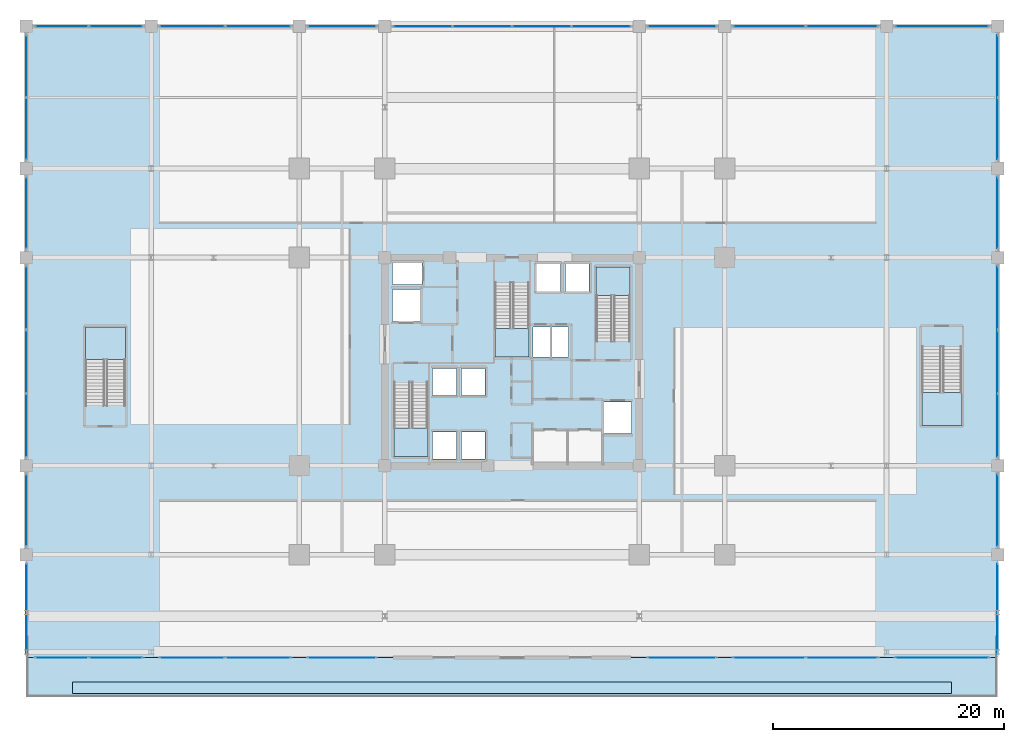
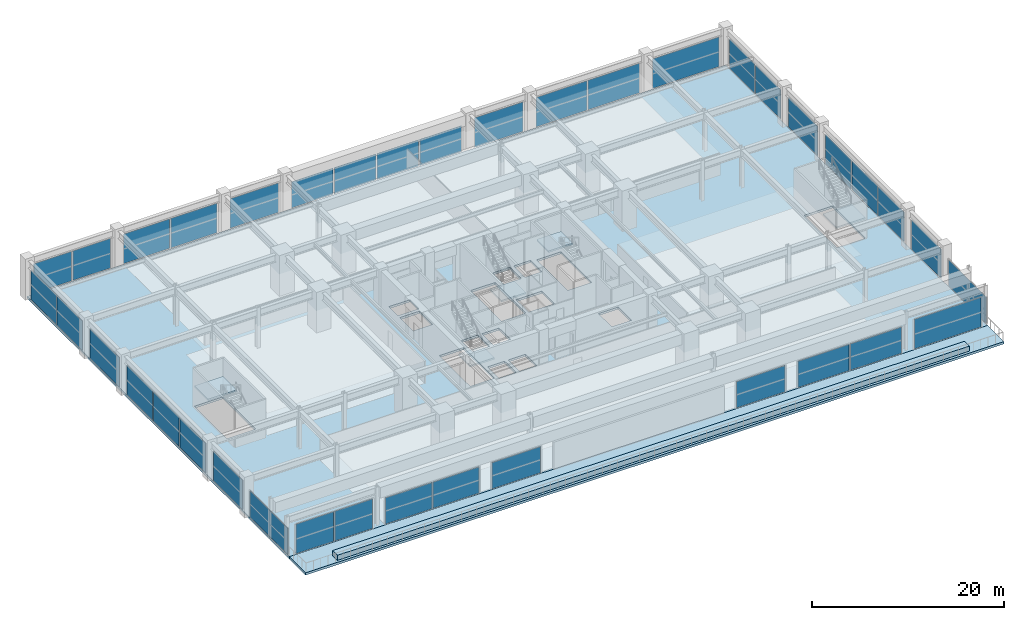
# One storey, part 35 of 45: 38 plates, 8 slabs, 28 elements without a shape of their own.
"""IFC4 building model written with IfcOpenShell, lengths in metres."""

from ifc_helpers import new_model, si_unit, direction, frame, origin, origin_2d, place, context, subcontext, project, spatial, polyline, rectangle, outline, extrude, material, layer, layer_set, type_object, element, aggregate, save


model = new_model("IFC4")

# Units and contexts
model_context = context("Model", 3, precision=1e-05, world=origin(), true_north=direction((0.0, 1.0)))
body_context = subcontext(model_context, "Body", "Model", "MODEL_VIEW")
ifc_project = project(units=[si_unit("LENGTHUNIT", "METRE"), si_unit("AREAUNIT", "SQUARE_METRE"), si_unit("VOLUMEUNIT", "CUBIC_METRE"), si_unit("PLANEANGLEUNIT", "RADIAN"), si_unit("MASSUNIT", "GRAM", prefix="KILO")], contexts=[model_context])

# Site, building, storey
site_placement = place(None, origin())
site = spatial("IfcSite", under=ifc_project, at=site_placement, CompositionType="ELEMENT")
building_placement = place(site_placement, origin())
building = spatial("IfcBuilding", under=site, at=building_placement, Name="Kovane Verandah Tower", CompositionType="ELEMENT")
storey_placement = place(building_placement, frame((0.0, 0.0, 6.0)))
storey = spatial("IfcBuildingStorey", under=building, at=storey_placement, Name="L01", CompositionType="ELEMENT", Elevation=6.0)

# Curtain wall, plates
ifc_material_1 = material(Name="Champagne Anodised Aluminium Frame with Low-E Clear Laminated Glass", Category="aluminium")
curtain_wall_type = type_object("IfcCurtainWallType", Name="CW-SYS-01-POD", PredefinedType="NOTDEFINED", material=ifc_material_1)
curtain_wall_1_placement = place(storey_placement, origin())
curtain_wall_1 = element("IfcCurtainWall", 1, at=curtain_wall_1_placement, inside=storey, type_object=curtain_wall_type, Name="L01 South Podium Curtain Wall Bay 1.1", PredefinedType="NOTDEFINED")
ifc_material_2 = material(Name="Clear Low-E Laminated Double Glazing", Category="glass")
ifc_layer_1 = layer(ifc_material_2, 0.031982421875)
ifc_layer_set_1 = layer_set([ifc_layer_1], Name="Clear Low-E Laminated Double Glazing")
plate_type = type_object("IfcPlateType", Name="PL-CW-VIS-32", PredefinedType="CURTAIN_PANEL", material=ifc_layer_set_1)
plate_1_placement = place(storey_placement, frame((1.06005859375, 1.89990234375, 0.10009765625), z_axis=(0.0, 0.0, 1.0), x_axis=(1.0, 0.0, 0.0)))
plate_1 = element("IfcPlate", 2, at=plate_1_placement, type_object=plate_type, Name="L01 South Podium Curtain Wall Bay 1.1 Full-Height Vision Panel 1", PredefinedType="CURTAIN_PANEL", context=body_context, shape_type="SweptSolid", body=[
    extrude(rectangle(XDim=4.5400390625, YDim=0.031982421875, at=origin_2d()), origin(), (0.0, 0.0, 1.0), 3.759033203125),
])
plate_2_placement = place(storey_placement, frame((5.739990234375, 1.89990234375, 0.10009765625), z_axis=(0.0, 0.0, 1.0), x_axis=(1.0, 0.0, 0.0)))
plate_2 = element("IfcPlate", 3, at=plate_2_placement, type_object=plate_type, Name="L01 South Podium Curtain Wall Bay 1.1 Full-Height Vision Panel 2", PredefinedType="CURTAIN_PANEL", context=body_context, shape_type="SweptSolid", body=[
    extrude(rectangle(XDim=4.5400390625, YDim=0.031982421875, at=origin_2d()), origin(), (0.0, 0.0, 1.0), 3.759033203125),
])
aggregate(curtain_wall_1, [plate_1, plate_2])

curtain_wall_2_placement = place(storey_placement, origin())
curtain_wall_2 = element("IfcCurtainWall", 4, at=curtain_wall_2_placement, inside=storey, type_object=curtain_wall_type, Name="L01 South Podium Curtain Wall Bay 2.1", PredefinedType="NOTDEFINED")
plate_3_placement = place(storey_placement, frame((12.360107421875, 1.89990234375, 0.099853515625), z_axis=(0.0, 0.0, 1.0), x_axis=(1.0, 0.0, 0.0)))
plate_3 = element("IfcPlate", 5, at=plate_3_placement, type_object=plate_type, Name="L01 South Podium Curtain Wall Bay 2.1 Full-Height Vision Panel 1", PredefinedType="CURTAIN_PANEL", context=body_context, shape_type="SweptSolid", body=[
    extrude(rectangle(XDim=5.5400390625, YDim=0.031982421875, at=origin_2d()), origin(), (0.0, 0.0, 1.0), 3.330078125),
])
plate_4_placement = place(storey_placement, frame((18.0400390625, 1.89990234375, 0.099853515625), z_axis=(0.0, 0.0, 1.0), x_axis=(1.0, 0.0, 0.0)))
plate_4 = element("IfcPlate", 6, at=plate_4_placement, type_object=plate_type, Name="L01 South Podium Curtain Wall Bay 2.1 Full-Height Vision Panel 2", PredefinedType="CURTAIN_PANEL", context=body_context, shape_type="SweptSolid", body=[
    extrude(rectangle(XDim=5.5400390625, YDim=0.031982421875, at=origin_2d()), origin(), (0.0, 0.0, 1.0), 3.330078125),
])
aggregate(curtain_wall_2, [plate_3, plate_4])

# Curtain wall, plate
curtain_wall_3_placement = place(storey_placement, origin())
curtain_wall_3 = element("IfcCurtainWall", 7, at=curtain_wall_3_placement, inside=storey, type_object=curtain_wall_type, Name="L01 South Podium Curtain Wall Bay 3.1", PredefinedType="NOTDEFINED")
plate_5_placement = place(storey_placement, frame((25.300048828125, 1.89990234375, 0.099853515625), z_axis=(0.0, 0.0, 1.0), x_axis=(1.0, 0.0, 0.0)))
plate_5 = element("IfcPlate", 8, at=plate_5_placement, type_object=plate_type, Name="L01 South Podium Curtain Wall Bay 3.1 Full-Height Vision Panel 1", PredefinedType="CURTAIN_PANEL", context=body_context, shape_type="SweptSolid", body=[
    extrude(rectangle(XDim=5.820068359375, YDim=0.031982421875, at=origin_2d()), origin(), (0.0, 0.0, 1.0), 3.330078125),
])
aggregate(curtain_wall_3, [plate_5])

curtain_wall_4_placement = place(storey_placement, origin())
curtain_wall_4 = element("IfcCurtainWall", 9, at=curtain_wall_4_placement, inside=storey, type_object=curtain_wall_type, Name="L01 South Podium Curtain Wall Bay 5.1", PredefinedType="NOTDEFINED")
plate_6_placement = place(storey_placement, frame((54.699951171875, 1.89990234375, 0.099853515625), z_axis=(0.0, 0.0, 1.0), x_axis=(1.0, 0.0, 0.0)))
plate_6 = element("IfcPlate", 10, at=plate_6_placement, type_object=plate_type, Name="L01 South Podium Curtain Wall Bay 5.1 Full-Height Vision Panel 1", PredefinedType="CURTAIN_PANEL", context=body_context, shape_type="SweptSolid", body=[
    extrude(rectangle(XDim=5.820068359375, YDim=0.031982421875, at=origin_2d()), origin(), (0.0, 0.0, 1.0), 3.330078125),
])
aggregate(curtain_wall_4, [plate_6])

# Curtain wall, plates
curtain_wall_5_placement = place(storey_placement, origin())
curtain_wall_5 = element("IfcCurtainWall", 11, at=curtain_wall_5_placement, inside=storey, type_object=curtain_wall_type, Name="L01 South Podium Curtain Wall Bay 6.1", PredefinedType="NOTDEFINED")
plate_7_placement = place(storey_placement, frame((62.260009765625, 1.89990234375, 0.099853515625), z_axis=(0.0, 0.0, 1.0), x_axis=(1.0, 0.0, 0.0)))
plate_7 = element("IfcPlate", 12, at=plate_7_placement, type_object=plate_type, Name="L01 South Podium Curtain Wall Bay 6.1 Full-Height Vision Panel 1", PredefinedType="CURTAIN_PANEL", context=body_context, shape_type="SweptSolid", body=[
    extrude(rectangle(XDim=6.139892578125, YDim=0.031982421875, at=origin_2d()), origin(), (0.0, 0.0, 1.0), 3.330078125),
])
plate_8_placement = place(storey_placement, frame((68.5400390625, 1.89990234375, 0.099853515625), z_axis=(0.0, 0.0, 1.0), x_axis=(1.0, 0.0, 0.0)))
plate_8 = element("IfcPlate", 13, at=plate_8_placement, type_object=plate_type, Name="L01 South Podium Curtain Wall Bay 6.1 Full-Height Vision Panel 2", PredefinedType="CURTAIN_PANEL", context=body_context, shape_type="SweptSolid", body=[
    extrude(rectangle(XDim=6.139892578125, YDim=0.031982421875, at=origin_2d()), origin(), (0.0, 0.0, 1.0), 3.330078125),
])
aggregate(curtain_wall_5, [plate_7, plate_8])

# Curtain wall, plate
curtain_wall_6_placement = place(storey_placement, origin())
curtain_wall_6 = element("IfcCurtainWall", 14, at=curtain_wall_6_placement, inside=storey, type_object=curtain_wall_type, Name="L01 South Podium Curtain Wall Bay 7.1", PredefinedType="NOTDEFINED")
plate_9_placement = place(storey_placement, frame((77.199951171875, 1.89990234375, 0.10009765625), z_axis=(0.0, 0.0, 1.0), x_axis=(1.0, 0.0, 0.0)))
plate_9 = element("IfcPlate", 15, at=plate_9_placement, type_object=plate_type, Name="L01 South Podium Curtain Wall Bay 7.1 Full-Height Vision Panel 1", PredefinedType="CURTAIN_PANEL", context=body_context, shape_type="SweptSolid", body=[
    extrude(rectangle(XDim=8.02001953125, YDim=0.031982421875, at=origin_2d()), origin(), (0.0, 0.0, 1.0), 3.759033203125),
])
aggregate(curtain_wall_6, [plate_9])

# Curtain wall, plates
curtain_wall_7_placement = place(storey_placement, origin())
curtain_wall_7 = element("IfcCurtainWall", 16, at=curtain_wall_7_placement, inside=storey, type_object=curtain_wall_type, Name="L01 North Podium Curtain Wall Bay 1", PredefinedType="NOTDEFINED")
plate_10_placement = place(storey_placement, frame((5.739990234375, 56.5, 0.10009765625), z_axis=(0.0, 0.0, 1.0), x_axis=(-1.0, 0.0, 0.0)))
plate_10 = element("IfcPlate", 17, at=plate_10_placement, type_object=plate_type, Name="L01 North Podium Curtain Wall Bay 1 Full-Height Vision Panel 1", PredefinedType="CURTAIN_PANEL", context=body_context, shape_type="SweptSolid", body=[
    extrude(rectangle(XDim=4.5400390625, YDim=0.031982421875, at=origin_2d()), origin(), (0.0, 0.0, 1.0), 3.759033203125),
])
plate_11_placement = place(storey_placement, frame((1.06005859375, 56.5, 0.10009765625), z_axis=(0.0, 0.0, 1.0), x_axis=(-1.0, 0.0, 0.0)))
plate_11 = element("IfcPlate", 18, at=plate_11_placement, type_object=plate_type, Name="L01 North Podium Curtain Wall Bay 1 Full-Height Vision Panel 2", PredefinedType="CURTAIN_PANEL", context=body_context, shape_type="SweptSolid", body=[
    extrude(rectangle(XDim=4.5400390625, YDim=0.031982421875, at=origin_2d()), origin(), (0.0, 0.0, 1.0), 3.759033203125),
])
aggregate(curtain_wall_7, [plate_10, plate_11])

curtain_wall_8_placement = place(storey_placement, origin())
curtain_wall_8 = element("IfcCurtainWall", 19, at=curtain_wall_8_placement, inside=storey, type_object=curtain_wall_type, Name="L01 North Podium Curtain Wall Bay 2", PredefinedType="NOTDEFINED")
plate_12_placement = place(storey_placement, frame((18.0400390625, 56.5, 0.10009765625), z_axis=(0.0, 0.0, 1.0), x_axis=(-1.0, 0.0, 0.0)))
plate_12 = element("IfcPlate", 20, at=plate_12_placement, type_object=plate_type, Name="L01 North Podium Curtain Wall Bay 2 Full-Height Vision Panel 1", PredefinedType="CURTAIN_PANEL", context=body_context, shape_type="SweptSolid", body=[
    extrude(rectangle(XDim=5.5400390625, YDim=0.031982421875, at=origin_2d()), origin(), (0.0, 0.0, 1.0), 3.759033203125),
])
plate_13_placement = place(storey_placement, frame((12.360107421875, 56.5, 0.10009765625), z_axis=(0.0, 0.0, 1.0), x_axis=(-1.0, 0.0, 0.0)))
plate_13 = element("IfcPlate", 21, at=plate_13_placement, type_object=plate_type, Name="L01 North Podium Curtain Wall Bay 2 Full-Height Vision Panel 2", PredefinedType="CURTAIN_PANEL", context=body_context, shape_type="SweptSolid", body=[
    extrude(rectangle(XDim=5.5400390625, YDim=0.031982421875, at=origin_2d()), origin(), (0.0, 0.0, 1.0), 3.759033203125),
])
aggregate(curtain_wall_8, [plate_12, plate_13])

# Curtain wall, plate
curtain_wall_9_placement = place(storey_placement, origin())
curtain_wall_9 = element("IfcCurtainWall", 22, at=curtain_wall_9_placement, inside=storey, type_object=curtain_wall_type, Name="L01 North Podium Curtain Wall Bay 3", PredefinedType="NOTDEFINED")
plate_14_placement = place(storey_placement, frame((25.300048828125, 56.5, 0.10009765625), z_axis=(0.0, 0.0, 1.0), x_axis=(-1.0, 0.0, 0.0)))
plate_14 = element("IfcPlate", 23, at=plate_14_placement, type_object=plate_type, Name="L01 North Podium Curtain Wall Bay 3 Full-Height Vision Panel 1", PredefinedType="CURTAIN_PANEL", context=body_context, shape_type="SweptSolid", body=[
    extrude(rectangle(XDim=5.820068359375, YDim=0.031982421875, at=origin_2d()), origin(), (0.0, 0.0, 1.0), 3.759033203125),
])
aggregate(curtain_wall_9, [plate_14])

# Curtain wall, plates
curtain_wall_10_placement = place(storey_placement, origin())
curtain_wall_10 = element("IfcCurtainWall", 24, at=curtain_wall_10_placement, inside=storey, type_object=curtain_wall_type, Name="L01 North Podium Curtain Wall Bay 4", PredefinedType="NOTDEFINED")
plate_15_placement = place(storey_placement, frame((47.7099609375, 56.5, 0.099853515625), z_axis=(0.0, 0.0, 1.0), x_axis=(-1.0, 0.0, 0.0)))
plate_15 = element("IfcPlate", 25, at=plate_15_placement, type_object=plate_type, Name="L01 North Podium Curtain Wall Bay 4 Full-Height Vision Panel 1", PredefinedType="CURTAIN_PANEL", context=body_context, shape_type="SweptSolid", body=[
    extrude(rectangle(XDim=5.0, YDim=0.031982421875, at=origin_2d()), origin(), (0.0, 0.0, 1.0), 3.330078125),
])
plate_16_placement = place(storey_placement, frame((42.570068359375, 56.5, 0.099853515625), z_axis=(0.0, 0.0, 1.0), x_axis=(-1.0, 0.0, 0.0)))
plate_16 = element("IfcPlate", 26, at=plate_16_placement, type_object=plate_type, Name="L01 North Podium Curtain Wall Bay 4 Full-Height Vision Panel 2", PredefinedType="CURTAIN_PANEL", context=body_context, shape_type="SweptSolid", body=[
    extrude(rectangle(XDim=5.0, YDim=0.031982421875, at=origin_2d()), origin(), (0.0, 0.0, 1.0), 3.330078125),
])
plate_17_placement = place(storey_placement, frame((37.429931640625, 56.5, 0.099853515625), z_axis=(0.0, 0.0, 1.0), x_axis=(-1.0, 0.0, 0.0)))
plate_17 = element("IfcPlate", 27, at=plate_17_placement, type_object=plate_type, Name="L01 North Podium Curtain Wall Bay 4 Full-Height Vision Panel 3", PredefinedType="CURTAIN_PANEL", context=body_context, shape_type="SweptSolid", body=[
    extrude(rectangle(XDim=5.0, YDim=0.031982421875, at=origin_2d()), origin(), (0.0, 0.0, 1.0), 3.330078125),
])
plate_18_placement = place(storey_placement, frame((32.2900390625, 56.5, 0.099853515625), z_axis=(0.0, 0.0, 1.0), x_axis=(-1.0, 0.0, 0.0)))
plate_18 = element("IfcPlate", 28, at=plate_18_placement, type_object=plate_type, Name="L01 North Podium Curtain Wall Bay 4 Full-Height Vision Panel 4", PredefinedType="CURTAIN_PANEL", context=body_context, shape_type="SweptSolid", body=[
    extrude(rectangle(XDim=5.0, YDim=0.031982421875, at=origin_2d()), origin(), (0.0, 0.0, 1.0), 3.330078125),
])
aggregate(curtain_wall_10, [plate_15, plate_16, plate_17, plate_18])

# Curtain wall, plate
curtain_wall_11_placement = place(storey_placement, origin())
curtain_wall_11 = element("IfcCurtainWall", 29, at=curtain_wall_11_placement, inside=storey, type_object=curtain_wall_type, Name="L01 North Podium Curtain Wall Bay 5", PredefinedType="NOTDEFINED")
plate_19_placement = place(storey_placement, frame((54.699951171875, 56.5, 0.10009765625), z_axis=(0.0, 0.0, 1.0), x_axis=(-1.0, 0.0, 0.0)))
plate_19 = element("IfcPlate", 30, at=plate_19_placement, type_object=plate_type, Name="L01 North Podium Curtain Wall Bay 5 Full-Height Vision Panel 1", PredefinedType="CURTAIN_PANEL", context=body_context, shape_type="SweptSolid", body=[
    extrude(rectangle(XDim=5.820068359375, YDim=0.031982421875, at=origin_2d()), origin(), (0.0, 0.0, 1.0), 3.759033203125),
])
aggregate(curtain_wall_11, [plate_19])

# Curtain wall, plates
curtain_wall_12_placement = place(storey_placement, origin())
curtain_wall_12 = element("IfcCurtainWall", 31, at=curtain_wall_12_placement, inside=storey, type_object=curtain_wall_type, Name="L01 North Podium Curtain Wall Bay 6", PredefinedType="NOTDEFINED")
plate_20_placement = place(storey_placement, frame((68.5400390625, 56.5, 0.10009765625), z_axis=(0.0, 0.0, 1.0), x_axis=(-1.0, 0.0, 0.0)))
plate_20 = element("IfcPlate", 32, at=plate_20_placement, type_object=plate_type, Name="L01 North Podium Curtain Wall Bay 6 Full-Height Vision Panel 1", PredefinedType="CURTAIN_PANEL", context=body_context, shape_type="SweptSolid", body=[
    extrude(rectangle(XDim=6.139892578125, YDim=0.031982421875, at=origin_2d()), origin(), (0.0, 0.0, 1.0), 3.759033203125),
])
plate_21_placement = place(storey_placement, frame((62.260009765625, 56.5, 0.10009765625), z_axis=(0.0, 0.0, 1.0), x_axis=(-1.0, 0.0, 0.0)))
plate_21 = element("IfcPlate", 33, at=plate_21_placement, type_object=plate_type, Name="L01 North Podium Curtain Wall Bay 6 Full-Height Vision Panel 2", PredefinedType="CURTAIN_PANEL", context=body_context, shape_type="SweptSolid", body=[
    extrude(rectangle(XDim=6.139892578125, YDim=0.031982421875, at=origin_2d()), origin(), (0.0, 0.0, 1.0), 3.759033203125),
])
aggregate(curtain_wall_12, [plate_20, plate_21])

# Curtain wall, plate
curtain_wall_13_placement = place(storey_placement, origin())
curtain_wall_13 = element("IfcCurtainWall", 34, at=curtain_wall_13_placement, inside=storey, type_object=curtain_wall_type, Name="L01 North Podium Curtain Wall Bay 7", PredefinedType="NOTDEFINED")
plate_22_placement = place(storey_placement, frame((77.199951171875, 56.5, 0.10009765625), z_axis=(0.0, 0.0, 1.0), x_axis=(-1.0, 0.0, 0.0)))
plate_22 = element("IfcPlate", 35, at=plate_22_placement, type_object=plate_type, Name="L01 North Podium Curtain Wall Bay 7 Full-Height Vision Panel 1", PredefinedType="CURTAIN_PANEL", context=body_context, shape_type="SweptSolid", body=[
    extrude(rectangle(XDim=8.02001953125, YDim=0.031982421875, at=origin_2d()), origin(), (0.0, 0.0, 1.0), 3.759033203125),
])
aggregate(curtain_wall_13, [plate_22])

curtain_wall_14_placement = place(storey_placement, origin())
curtain_wall_14 = element("IfcCurtainWall", 36, at=curtain_wall_14_placement, inside=storey, type_object=curtain_wall_type, Name="L01 West Podium Curtain Wall Bay 1", PredefinedType="NOTDEFINED")
plate_23_placement = place(storey_placement, frame((-2.0, 6.10009765625, 0.099853515625), z_axis=(0.0, 0.0, 1.0), x_axis=(0.0, -1.0, 0.0)))
plate_23 = element("IfcPlate", 37, at=plate_23_placement, type_object=plate_type, Name="L01 West Podium Curtain Wall Bay 1 Full-Height Vision Panel 1", PredefinedType="CURTAIN_PANEL", context=body_context, shape_type="SweptSolid", body=[
    extrude(rectangle(XDim=7.820068359375, YDim=0.031982421875, at=origin_2d()), origin(), (0.0, 0.0, 1.0), 3.330078125),
])
aggregate(curtain_wall_14, [plate_23])

curtain_wall_15_placement = place(storey_placement, origin())
curtain_wall_15 = element("IfcCurtainWall", 38, at=curtain_wall_15_placement, inside=storey, type_object=curtain_wall_type, Name="L01 East Podium Curtain Wall Bay 1", PredefinedType="NOTDEFINED")
plate_24_placement = place(storey_placement, frame((82.0, 6.10009765625, 0.099853515625), z_axis=(0.0, 0.0, 1.0), x_axis=(0.0, 1.0, 0.0)))
plate_24 = element("IfcPlate", 39, at=plate_24_placement, type_object=plate_type, Name="L01 East Podium Curtain Wall Bay 1 Full-Height Vision Panel 1", PredefinedType="CURTAIN_PANEL", context=body_context, shape_type="SweptSolid", body=[
    extrude(rectangle(XDim=7.820068359375, YDim=0.031982421875, at=origin_2d()), origin(), (0.0, 0.0, 1.0), 3.330078125),
])
aggregate(curtain_wall_15, [plate_24])

curtain_wall_16_placement = place(storey_placement, origin())
curtain_wall_16 = element("IfcCurtainWall", 40, at=curtain_wall_16_placement, inside=storey, type_object=curtain_wall_type, Name="L01 West Podium Curtain Wall Bay 2", PredefinedType="NOTDEFINED")
plate_25_placement = place(storey_placement, frame((-2.0, 14.64990234375, 0.10009765625), z_axis=(0.0, 0.0, 1.0), x_axis=(0.0, -1.0, 0.0)))
plate_25 = element("IfcPlate", 41, at=plate_25_placement, type_object=plate_type, Name="L01 West Podium Curtain Wall Bay 2 Full-Height Vision Panel 1", PredefinedType="CURTAIN_PANEL", context=body_context, shape_type="SweptSolid", body=[
    extrude(rectangle(XDim=6.1201171875, YDim=0.031982421875, at=origin_2d()), origin(), (0.0, 0.0, 1.0), 3.759033203125),
])
aggregate(curtain_wall_16, [plate_25])

curtain_wall_17_placement = place(storey_placement, origin())
curtain_wall_17 = element("IfcCurtainWall", 42, at=curtain_wall_17_placement, inside=storey, type_object=curtain_wall_type, Name="L01 East Podium Curtain Wall Bay 2", PredefinedType="NOTDEFINED")
plate_26_placement = place(storey_placement, frame((82.0, 14.64990234375, 0.10009765625), z_axis=(0.0, 0.0, 1.0), x_axis=(0.0, 1.0, 0.0)))
plate_26 = element("IfcPlate", 43, at=plate_26_placement, type_object=plate_type, Name="L01 East Podium Curtain Wall Bay 2 Full-Height Vision Panel 1", PredefinedType="CURTAIN_PANEL", context=body_context, shape_type="SweptSolid", body=[
    extrude(rectangle(XDim=6.1201171875, YDim=0.031982421875, at=origin_2d()), origin(), (0.0, 0.0, 1.0), 3.759033203125),
])
aggregate(curtain_wall_17, [plate_26])

# Curtain wall, plates
curtain_wall_18_placement = place(storey_placement, origin())
curtain_wall_18 = element("IfcCurtainWall", 44, at=curtain_wall_18_placement, inside=storey, type_object=curtain_wall_type, Name="L01 West Podium Curtain Wall Bay 3", PredefinedType="NOTDEFINED")
plate_27_placement = place(storey_placement, frame((-2.0, 33.02001953125, 0.10009765625), z_axis=(0.0, 0.0, 1.0), x_axis=(0.0, -1.0, 0.0)))
plate_27 = element("IfcPlate", 45, at=plate_27_placement, type_object=plate_type, Name="L01 West Podium Curtain Wall Bay 3 Full-Height Vision Panel 1", PredefinedType="CURTAIN_PANEL", context=body_context, shape_type="SweptSolid", body=[
    extrude(rectangle(XDim=5.3798828125, YDim=0.031982421875, at=origin_2d()), origin(), (0.0, 0.0, 1.0), 3.759033203125),
])
plate_28_placement = place(storey_placement, frame((-2.0, 27.5, 0.10009765625), z_axis=(0.0, 0.0, 1.0), x_axis=(0.0, -1.0, 0.0)))
plate_28 = element("IfcPlate", 46, at=plate_28_placement, type_object=plate_type, Name="L01 West Podium Curtain Wall Bay 3 Full-Height Vision Panel 2", PredefinedType="CURTAIN_PANEL", context=body_context, shape_type="SweptSolid", body=[
    extrude(rectangle(XDim=5.3798828125, YDim=0.031982421875, at=origin_2d()), origin(), (0.0, 0.0, 1.0), 3.759033203125),
])
plate_29_placement = place(storey_placement, frame((-2.0, 21.97998046875, 0.10009765625), z_axis=(0.0, 0.0, 1.0), x_axis=(0.0, -1.0, 0.0)))
plate_29 = element("IfcPlate", 47, at=plate_29_placement, type_object=plate_type, Name="L01 West Podium Curtain Wall Bay 3 Full-Height Vision Panel 3", PredefinedType="CURTAIN_PANEL", context=body_context, shape_type="SweptSolid", body=[
    extrude(rectangle(XDim=5.3798828125, YDim=0.031982421875, at=origin_2d()), origin(), (0.0, 0.0, 1.0), 3.759033203125),
])
aggregate(curtain_wall_18, [plate_27, plate_28, plate_29])

curtain_wall_19_placement = place(storey_placement, origin())
curtain_wall_19 = element("IfcCurtainWall", 48, at=curtain_wall_19_placement, inside=storey, type_object=curtain_wall_type, Name="L01 East Podium Curtain Wall Bay 3", PredefinedType="NOTDEFINED")
plate_30_placement = place(storey_placement, frame((82.0, 21.97998046875, 0.10009765625), z_axis=(0.0, 0.0, 1.0), x_axis=(0.0, 1.0, 0.0)))
plate_30 = element("IfcPlate", 49, at=plate_30_placement, type_object=plate_type, Name="L01 East Podium Curtain Wall Bay 3 Full-Height Vision Panel 1", PredefinedType="CURTAIN_PANEL", context=body_context, shape_type="SweptSolid", body=[
    extrude(rectangle(XDim=5.3798828125, YDim=0.031982421875, at=origin_2d()), origin(), (0.0, 0.0, 1.0), 3.759033203125),
])
plate_31_placement = place(storey_placement, frame((82.0, 27.5, 0.10009765625), z_axis=(0.0, 0.0, 1.0), x_axis=(0.0, 1.0, 0.0)))
plate_31 = element("IfcPlate", 50, at=plate_31_placement, type_object=plate_type, Name="L01 East Podium Curtain Wall Bay 3 Full-Height Vision Panel 2", PredefinedType="CURTAIN_PANEL", context=body_context, shape_type="SweptSolid", body=[
    extrude(rectangle(XDim=5.3798828125, YDim=0.031982421875, at=origin_2d()), origin(), (0.0, 0.0, 1.0), 3.759033203125),
])
plate_32_placement = place(storey_placement, frame((82.0, 33.02001953125, 0.10009765625), z_axis=(0.0, 0.0, 1.0), x_axis=(0.0, 1.0, 0.0)))
plate_32 = element("IfcPlate", 51, at=plate_32_placement, type_object=plate_type, Name="L01 East Podium Curtain Wall Bay 3 Full-Height Vision Panel 3", PredefinedType="CURTAIN_PANEL", context=body_context, shape_type="SweptSolid", body=[
    extrude(rectangle(XDim=5.3798828125, YDim=0.031982421875, at=origin_2d()), origin(), (0.0, 0.0, 1.0), 3.759033203125),
])
aggregate(curtain_wall_19, [plate_30, plate_31, plate_32])

# Curtain wall, plate
curtain_wall_20_placement = place(storey_placement, origin())
curtain_wall_20 = element("IfcCurtainWall", 52, at=curtain_wall_20_placement, inside=storey, type_object=curtain_wall_type, Name="L01 West Podium Curtain Wall Bay 4", PredefinedType="NOTDEFINED")
plate_33_placement = place(storey_placement, frame((-2.0, 40.35009765625, 0.10009765625), z_axis=(0.0, 0.0, 1.0), x_axis=(0.0, -1.0, 0.0)))
plate_33 = element("IfcPlate", 53, at=plate_33_placement, type_object=plate_type, Name="L01 West Podium Curtain Wall Bay 4 Full-Height Vision Panel 1", PredefinedType="CURTAIN_PANEL", context=body_context, shape_type="SweptSolid", body=[
    extrude(rectangle(XDim=6.1201171875, YDim=0.031982421875, at=origin_2d()), origin(), (0.0, 0.0, 1.0), 3.759033203125),
])
aggregate(curtain_wall_20, [plate_33])

curtain_wall_21_placement = place(storey_placement, origin())
curtain_wall_21 = element("IfcCurtainWall", 54, at=curtain_wall_21_placement, inside=storey, type_object=curtain_wall_type, Name="L01 East Podium Curtain Wall Bay 4", PredefinedType="NOTDEFINED")
plate_34_placement = place(storey_placement, frame((82.0, 40.35009765625, 0.10009765625), z_axis=(0.0, 0.0, 1.0), x_axis=(0.0, 1.0, 0.0)))
plate_34 = element("IfcPlate", 55, at=plate_34_placement, type_object=plate_type, Name="L01 East Podium Curtain Wall Bay 4 Full-Height Vision Panel 1", PredefinedType="CURTAIN_PANEL", context=body_context, shape_type="SweptSolid", body=[
    extrude(rectangle(XDim=6.1201171875, YDim=0.031982421875, at=origin_2d()), origin(), (0.0, 0.0, 1.0), 3.759033203125),
])
aggregate(curtain_wall_21, [plate_34])

# Curtain wall, plates
curtain_wall_22_placement = place(storey_placement, origin())
curtain_wall_22 = element("IfcCurtainWall", 56, at=curtain_wall_22_placement, inside=storey, type_object=curtain_wall_type, Name="L01 West Podium Curtain Wall Bay 5", PredefinedType="NOTDEFINED")
plate_35_placement = place(storey_placement, frame((-2.0, 53.06494140625, 0.10009765625), z_axis=(0.0, 0.0, 1.0), x_axis=(0.0, -1.0, 0.0)))
plate_35 = element("IfcPlate", 57, at=plate_35_placement, type_object=plate_type, Name="L01 West Podium Curtain Wall Bay 5 Full-Height Vision Panel 1", PredefinedType="CURTAIN_PANEL", context=body_context, shape_type="SweptSolid", body=[
    extrude(rectangle(XDim=5.2900390625, YDim=0.031982421875, at=origin_2d()), origin(), (0.0, 0.0, 1.0), 3.759033203125),
])
plate_36_placement = place(storey_placement, frame((-2.0, 47.635009765625, 0.10009765625), z_axis=(0.0, 0.0, 1.0), x_axis=(0.0, -1.0, 0.0)))
plate_36 = element("IfcPlate", 58, at=plate_36_placement, type_object=plate_type, Name="L01 West Podium Curtain Wall Bay 5 Full-Height Vision Panel 2", PredefinedType="CURTAIN_PANEL", context=body_context, shape_type="SweptSolid", body=[
    extrude(rectangle(XDim=5.2900390625, YDim=0.031982421875, at=origin_2d()), origin(), (0.0, 0.0, 1.0), 3.759033203125),
])
aggregate(curtain_wall_22, [plate_35, plate_36])

curtain_wall_23_placement = place(storey_placement, origin())
curtain_wall_23 = element("IfcCurtainWall", 59, at=curtain_wall_23_placement, inside=storey, type_object=curtain_wall_type, Name="L01 East Podium Curtain Wall Bay 5", PredefinedType="NOTDEFINED")
plate_37_placement = place(storey_placement, frame((82.0, 47.635009765625, 0.10009765625), z_axis=(0.0, 0.0, 1.0), x_axis=(0.0, 1.0, 0.0)))
plate_37 = element("IfcPlate", 60, at=plate_37_placement, type_object=plate_type, Name="L01 East Podium Curtain Wall Bay 5 Full-Height Vision Panel 1", PredefinedType="CURTAIN_PANEL", context=body_context, shape_type="SweptSolid", body=[
    extrude(rectangle(XDim=5.2900390625, YDim=0.031982421875, at=origin_2d()), origin(), (0.0, 0.0, 1.0), 3.759033203125),
])
plate_38_placement = place(storey_placement, frame((82.0, 53.06494140625, 0.10009765625), z_axis=(0.0, 0.0, 1.0), x_axis=(0.0, 1.0, 0.0)))
plate_38 = element("IfcPlate", 61, at=plate_38_placement, type_object=plate_type, Name="L01 East Podium Curtain Wall Bay 5 Full-Height Vision Panel 2", PredefinedType="CURTAIN_PANEL", context=body_context, shape_type="SweptSolid", body=[
    extrude(rectangle(XDim=5.2900390625, YDim=0.031982421875, at=origin_2d()), origin(), (0.0, 0.0, 1.0), 3.759033203125),
])
aggregate(curtain_wall_23, [plate_37, plate_38])

# Slab
ifc_material_3 = material(Name="Concrete C45/55", Category="concrete")
ifc_layer_2 = layer(ifc_material_3, 0.300048828125)
ifc_layer_set_2 = layer_set([ifc_layer_2], Name="Concrete C45/55")
slab_type_1 = type_object("IfcSlabType", Name="SL-GDN-300", PredefinedType="ROOF", material=ifc_layer_set_2)
slab_1_placement = place(storey_placement, frame((0.0, 0.0, -0.300048828125)))
element("IfcSlab", 62, at=slab_1_placement, inside=storey, type_object=slab_type_1, Name="L01 Cascading Garden Step Terrace", PredefinedType="ROOF", context=body_context, shape_type="SweptSolid", body=[
    extrude(outline(polyline([(-2.0, -1.5), (82.0, -1.5), (82.0, 1.89990234375), (-2.0, 1.89990234375), (-2.0, -1.5)])), origin(), (0.0, 0.0, 1.0), 0.300048828125),
])

# Stair, slab
stair_type = type_object("IfcStairType", Name="ST-CORE-1380", PredefinedType="HALF_TURN_STAIR", material=ifc_material_3)
stair_1_placement = place(storey_placement, origin())
stair_1 = element("IfcStair", 63, at=stair_1_placement, inside=storey, type_object=stair_type, Name="L01 Exit Stair ST-01", PredefinedType="HALF_TURN_STAIR")
ifc_layer_3 = layer(ifc_material_3, 0.199951171875)
ifc_layer_set_3 = layer_set([ifc_layer_3], Name="Concrete C45/55")
slab_type_2 = type_object("IfcSlabType", Name="SL-LAND-200", PredefinedType="LANDING", material=ifc_layer_set_3)
slab_2_placement = place(storey_placement, frame((0.0, 0.0, 2.39990234375)))
slab_2 = element("IfcSlab", 64, at=slab_2_placement, type_object=slab_type_2, Name="ST-01 landing 1", PredefinedType="LANDING", context=body_context, shape_type="SweptSolid", body=[
    extrude(outline(polyline([(29.800048828125, 21.760009765625), (29.800048828125, 19.300048828125), (32.719970703125, 19.300048828125), (32.719970703125, 21.760009765625), (29.800048828125, 21.760009765625)])), origin(), (0.0, 0.0, 1.0), 0.2001953125),
])
aggregate(stair_1, [slab_2])

stair_2_placement = place(storey_placement, origin())
stair_2 = element("IfcStair", 65, at=stair_2_placement, inside=storey, type_object=stair_type, Name="L01 Exit Stair ST-02", PredefinedType="HALF_TURN_STAIR")
slab_3_placement = place(storey_placement, frame((0.0, 0.0, 2.39990234375)))
slab_3 = element("IfcSlab", 66, at=slab_3_placement, type_object=slab_type_2, Name="ST-02 landing 1", PredefinedType="LANDING", context=body_context, shape_type="SweptSolid", body=[
    extrude(outline(polyline([(50.199951171875, 33.239990234375), (50.199951171875, 35.699951171875), (47.280029296875, 35.699951171875), (47.280029296875, 33.239990234375), (50.199951171875, 33.239990234375)])), origin(), (0.0, 0.0, 1.0), 0.2001953125),
])
aggregate(stair_2, [slab_3])

stair_3_placement = place(storey_placement, origin())
stair_3 = element("IfcStair", 67, at=stair_3_placement, inside=storey, type_object=stair_type, Name="L01 Exit Stair ST-03", PredefinedType="HALF_TURN_STAIR")
slab_4_placement = place(storey_placement, frame((0.0, 0.0, 2.39990234375)))
slab_4 = element("IfcSlab", 68, at=slab_4_placement, type_object=slab_type_2, Name="ST-03 landing 1", PredefinedType="LANDING", context=body_context, shape_type="SweptSolid", body=[
    extrude(outline(polyline([(38.5400390625, 30.360107421875), (38.5400390625, 27.89990234375), (41.4599609375, 27.89990234375), (41.4599609375, 30.360107421875), (38.5400390625, 30.360107421875)])), origin(), (0.0, 0.0, 1.0), 0.2001953125),
])
aggregate(stair_3, [slab_4])

stair_4_placement = place(storey_placement, origin())
stair_4 = element("IfcStair", 69, at=stair_4_placement, inside=storey, type_object=stair_type, Name="L01 Exit Stair ST-04", PredefinedType="HALF_TURN_STAIR")
slab_5_placement = place(storey_placement, frame((0.0, 0.0, 2.39990234375)))
slab_5 = element("IfcSlab", 70, at=slab_5_placement, type_object=slab_type_2, Name="ST-04 landing 1", PredefinedType="LANDING", context=body_context, shape_type="SweptSolid", body=[
    extrude(outline(polyline([(6.56005859375, 27.669921875), (6.56005859375, 30.5), (3.10009765625, 30.5), (3.10009765625, 27.669921875), (6.56005859375, 27.669921875)])), origin(), (0.0, 0.0, 1.0), 0.2001953125),
])
aggregate(stair_4, [slab_5])

stair_5_placement = place(storey_placement, origin())
stair_5 = element("IfcStair", 71, at=stair_5_placement, inside=storey, type_object=stair_type, Name="L01 Exit Stair ST-05", PredefinedType="HALF_TURN_STAIR")
slab_6_placement = place(storey_placement, frame((0.0, 0.0, 2.39990234375)))
slab_6 = element("IfcSlab", 72, at=slab_6_placement, type_object=slab_type_2, Name="ST-05 landing 1", PredefinedType="LANDING", context=body_context, shape_type="SweptSolid", body=[
    extrude(outline(polyline([(75.43994140625, 24.830078125), (75.43994140625, 22.0), (78.89990234375, 22.0), (78.89990234375, 24.830078125), (75.43994140625, 24.830078125)])), origin(), (0.0, 0.0, 1.0), 0.2001953125),
])
aggregate(stair_5, [slab_6])

# Slabs
ifc_material_4 = material(Name="Architectural Precast Concrete C45/55 Planter Trough", Category="concrete")
ifc_layer_4 = layer(ifc_material_4, 0.219970703125)
ifc_layer_set_4 = layer_set([ifc_layer_4], Name="Architectural Precast Concrete C45/55 Planter Trough")
slab_type_3 = type_object("IfcSlabType", Name="SL-PLANTER-220", PredefinedType="USERDEFINED", material=ifc_layer_set_4)
slab_7_placement = place(storey_placement, origin())
element("IfcSlab", 73, at=slab_7_placement, inside=storey, type_object=slab_type_3, Name="L01 Cascading Terrace Subtropical Planter", ObjectType="PLANTER", PredefinedType="USERDEFINED", context=body_context, shape_type="SweptSolid", body=[
    extrude(outline(polyline([(2.0, -1.199951171875), (78.0, -1.199951171875), (78.0, -0.199951171875), (2.0, -0.199951171875), (2.0, -1.199951171875)])), origin(), (0.0, 0.0, 1.0), 0.64990234375),
])
ifc_layer_5 = layer(ifc_material_3, 0.280029296875)
ifc_layer_set_5 = layer_set([ifc_layer_5], Name="Concrete C45/55")
slab_type_4 = type_object("IfcSlabType", Name="SL-POD-280", PredefinedType="FLOOR", material=ifc_layer_set_5)
slab_8_placement = place(storey_placement, frame((0.0, 0.0, -0.280029296875)))
element("IfcSlab", 74, at=slab_8_placement, inside=storey, type_object=slab_type_4, Name="L01 Structural Floor Slab", PredefinedType="FLOOR", context=body_context, shape_type="SweptSolid", body=[
    extrude(outline(polyline([(-2.0, 1.89990234375), (82.0, 1.89990234375), (82.0, 56.5), (-2.0, 56.5), (-2.0, 1.89990234375)]), holes=[polyline([(29.800048828125, 19.300048828125), (32.719970703125, 19.300048828125), (32.719970703125, 25.705078125), (29.800048828125, 25.705078125), (29.800048828125, 19.300048828125)]), polyline([(47.280029296875, 29.294921875), (50.199951171875, 29.294921875), (50.199951171875, 35.699951171875), (47.280029296875, 35.699951171875), (47.280029296875, 29.294921875)]), polyline([(38.5400390625, 27.89990234375), (41.4599609375, 27.89990234375), (41.4599609375, 34.304931640625), (38.5400390625, 34.304931640625), (38.5400390625, 27.89990234375)]), polyline([(3.10009765625, 23.72509765625), (6.56005859375, 23.72509765625), (6.56005859375, 30.5), (3.10009765625, 30.5), (3.10009765625, 23.72509765625)]), polyline([(75.43994140625, 22.0), (78.89990234375, 22.0), (78.89990234375, 28.77490234375), (75.43994140625, 28.77490234375), (75.43994140625, 22.0)]), polyline([(29.669921875, 30.969970703125), (32.030029296875, 30.969970703125), (32.030029296875, 33.72998046875), (29.669921875, 33.72998046875), (29.669921875, 30.969970703125)]), polyline([(47.969970703125, 21.27001953125), (50.330078125, 21.27001953125), (50.330078125, 24.030029296875), (47.969970703125, 24.030029296875), (47.969970703125, 21.27001953125)]), polyline([(29.669921875, 34.169921875), (32.22998046875, 34.169921875), (32.22998046875, 36.030029296875), (29.669921875, 36.030029296875), (29.669921875, 34.169921875)]), polyline([(33.1201171875, 19.070068359375), (35.179931640625, 19.070068359375), (35.179931640625, 21.429931640625), (33.1201171875, 21.429931640625), (33.1201171875, 19.070068359375)]), polyline([(35.6201171875, 19.070068359375), (37.679931640625, 19.070068359375), (37.679931640625, 21.429931640625), (35.6201171875, 21.429931640625), (35.6201171875, 19.070068359375)]), polyline([(33.1201171875, 24.570068359375), (35.179931640625, 24.570068359375), (35.179931640625, 26.929931640625), (33.1201171875, 26.929931640625), (33.1201171875, 24.570068359375)]), polyline([(35.6201171875, 24.570068359375), (37.679931640625, 24.570068359375), (37.679931640625, 26.929931640625), (35.6201171875, 26.929931640625), (35.6201171875, 24.570068359375)]), polyline([(42.1201171875, 33.570068359375), (44.179931640625, 33.570068359375), (44.179931640625, 35.929931640625), (42.1201171875, 35.929931640625), (42.1201171875, 33.570068359375)]), polyline([(44.6201171875, 33.570068359375), (46.679931640625, 33.570068359375), (46.679931640625, 35.929931640625), (44.6201171875, 35.929931640625), (44.6201171875, 33.570068359375)]), polyline([(41.800048828125, 27.89990234375), (44.89990234375, 27.89990234375), (44.89990234375, 30.5), (41.800048828125, 30.5), (41.800048828125, 27.89990234375)])]), origin(), (0.0, 0.0, 1.0), 0.280029296875),
])

save(model, "model.ifc")
